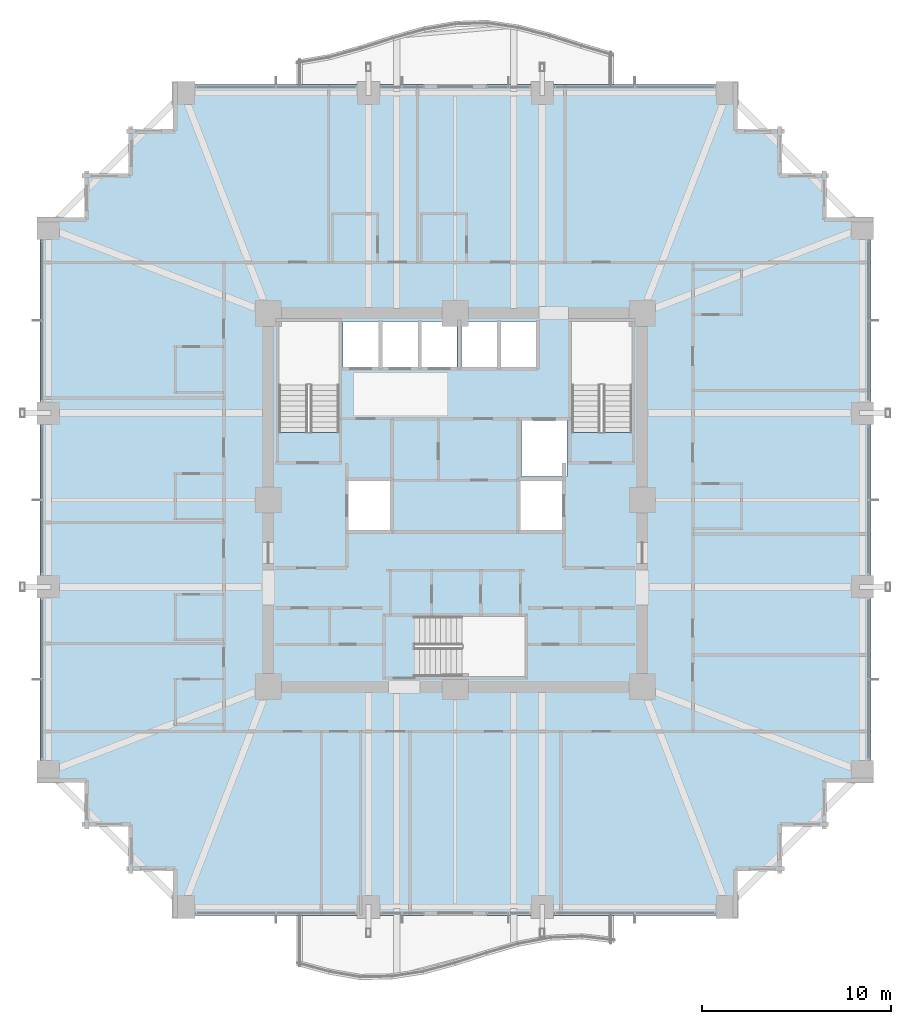
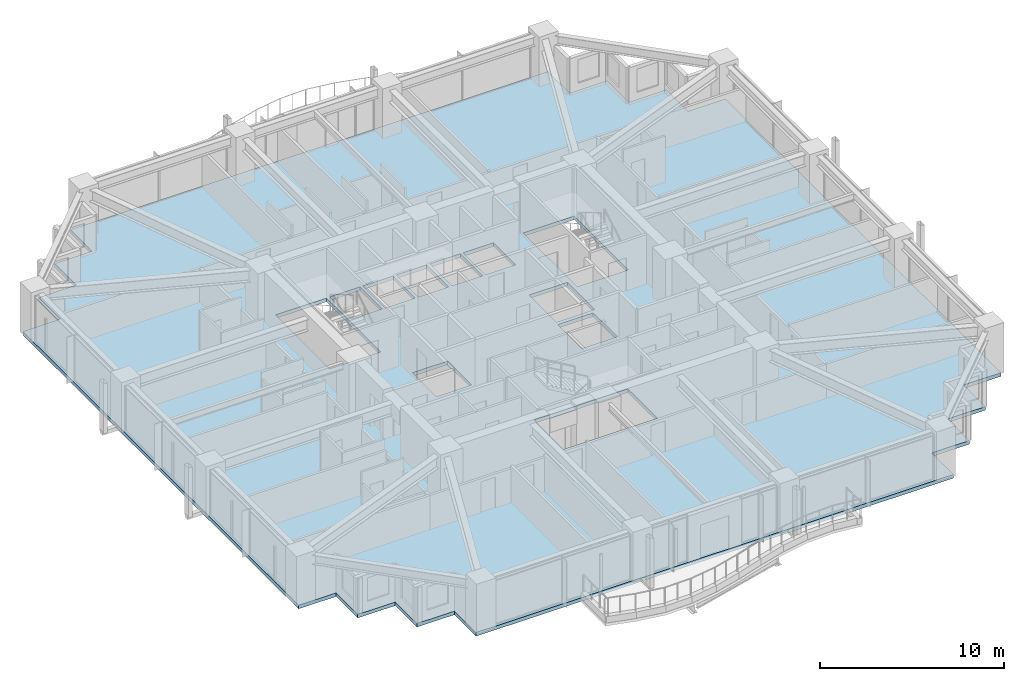
# One storey, part 27 of 38: 1 slab.
"""IFC4 building model written with IfcOpenShell, lengths in metres."""

from ifc_helpers import new_model, si_unit, direction, frame, origin, place, context, subcontext, project, spatial, polyline, outline, extrude, material, layer, layer_set, type_object, element, save


model = new_model("IFC4")

# Units and contexts
model_context = context("Model", 3, precision=1e-05, world=origin(), true_north=direction((0.0, 1.0)))
body_context = subcontext(model_context, "Body", "Model", "MODEL_VIEW")
ifc_project = project(units=[si_unit("LENGTHUNIT", "METRE"), si_unit("AREAUNIT", "SQUARE_METRE"), si_unit("VOLUMEUNIT", "CUBIC_METRE"), si_unit("PLANEANGLEUNIT", "RADIAN"), si_unit("MASSUNIT", "GRAM", prefix="KILO")], contexts=[model_context])

# Site, building, storey
site_placement = place(None, origin())
site = spatial("IfcSite", under=ifc_project, at=site_placement, CompositionType="ELEMENT")
building_placement = place(site_placement, origin())
building = spatial("IfcBuilding", under=site, at=building_placement, Name="Kolvaren Belvedere", CompositionType="ELEMENT")
storey_placement = place(building_placement, frame((0.0, 0.0, 50.199951171875)))
storey = spatial("IfcBuildingStorey", under=building, at=storey_placement, Name="L14", CompositionType="ELEMENT", Elevation=50.199951171875)

# Slab
ifc_material = material(Name="Concrete C50/60", Category="concrete")
ifc_layer = layer(ifc_material, 0.239990234375)
ifc_layer_set = layer_set([ifc_layer], Name="Concrete C50/60")
slab_type = type_object("IfcSlabType", Name="SL-FLR-240", PredefinedType="FLOOR", material=ifc_layer_set)
slab_placement = place(storey_placement, frame((0.0, 0.0, -0.239990234375)))
element("IfcSlab", 1, at=slab_placement, inside=storey, type_object=slab_type, Name="L14 Primary Structural Slab", PredefinedType="FLOOR", context=body_context, shape_type="SweptSolid", body=[
    extrude(outline(polyline([(-14.949951171875, -22.0), (14.949951171875, -22.0), (14.949951171875, -19.64990234375), (17.300048828125, -19.64990234375), (17.300048828125, -17.300048828125), (19.64990234375, -17.300048828125), (19.64990234375, -14.949951171875), (22.0, -14.949951171875), (22.0, 14.949951171875), (19.64990234375, 14.949951171875), (19.64990234375, 17.300048828125), (17.300048828125, 17.300048828125), (17.300048828125, 19.64990234375), (14.949951171875, 19.64990234375), (14.949951171875, 22.0), (-14.949951171875, 22.0), (-14.949951171875, 19.64990234375), (-17.300048828125, 19.64990234375), (-17.300048828125, 17.300048828125), (-19.64990234375, 17.300048828125), (-19.64990234375, 14.949951171875), (-22.0, 14.949951171875), (-22.0, -14.949951171875), (-19.64990234375, -14.949951171875), (-19.64990234375, -17.300048828125), (-17.300048828125, -17.300048828125), (-17.300048828125, -19.64990234375), (-14.949951171875, -19.64990234375), (-14.949951171875, -22.0)]), holes=[polyline([(-9.35009765625, 3.580078125), (-6.159912109375, 3.580078125), (-6.159912109375, 9.449951171875), (-9.35009765625, 9.449951171875), (-9.35009765625, 3.580078125)]), polyline([(6.159912109375, 3.580078125), (9.35009765625, 3.580078125), (9.35009765625, 9.449951171875), (6.159912109375, 9.449951171875), (6.159912109375, 3.580078125)]), polyline([(-2.169921875, -9.35009765625), (3.699951171875, -9.35009765625), (3.699951171875, -6.159912109375), (-2.169921875, -6.159912109375), (-2.169921875, -9.35009765625)]), polyline([(-5.64990234375, -1.60009765625), (-3.449951171875, -1.60009765625), (-3.449951171875, 1.0), (-5.64990234375, 1.0), (-5.64990234375, -1.60009765625)]), polyline([(3.5, 1.25), (5.89990234375, 1.25), (5.89990234375, 4.199951171875), (3.5, 4.199951171875), (3.5, 1.25)]), polyline([(3.449951171875, -1.60009765625), (5.64990234375, -1.60009765625), (5.64990234375, 1.0), (3.449951171875, 1.0), (3.449951171875, -1.60009765625)]), polyline([(-5.9599609375, 7.050048828125), (-4.06005859375, 7.050048828125), (-4.06005859375, 9.449951171875), (-5.9599609375, 9.449951171875), (-5.9599609375, 7.050048828125)]), polyline([(-3.8798828125, 7.050048828125), (-1.97998046875, 7.050048828125), (-1.97998046875, 9.449951171875), (-3.8798828125, 9.449951171875), (-3.8798828125, 7.050048828125)]), polyline([(-1.800048828125, 7.050048828125), (0.10009765625, 7.050048828125), (0.10009765625, 9.449951171875), (-1.800048828125, 9.449951171875), (-1.800048828125, 7.050048828125)]), polyline([(0.320068359375, 7.050048828125), (2.219970703125, 7.050048828125), (2.219970703125, 9.449951171875), (0.320068359375, 9.449951171875), (0.320068359375, 7.050048828125)]), polyline([(2.39990234375, 7.050048828125), (4.300048828125, 7.050048828125), (4.300048828125, 9.449951171875), (2.39990234375, 9.449951171875), (2.39990234375, 7.050048828125)])]), origin(), (0.0, 0.0, 1.0), 0.239990234375),
])

save(model, "model.ifc")
